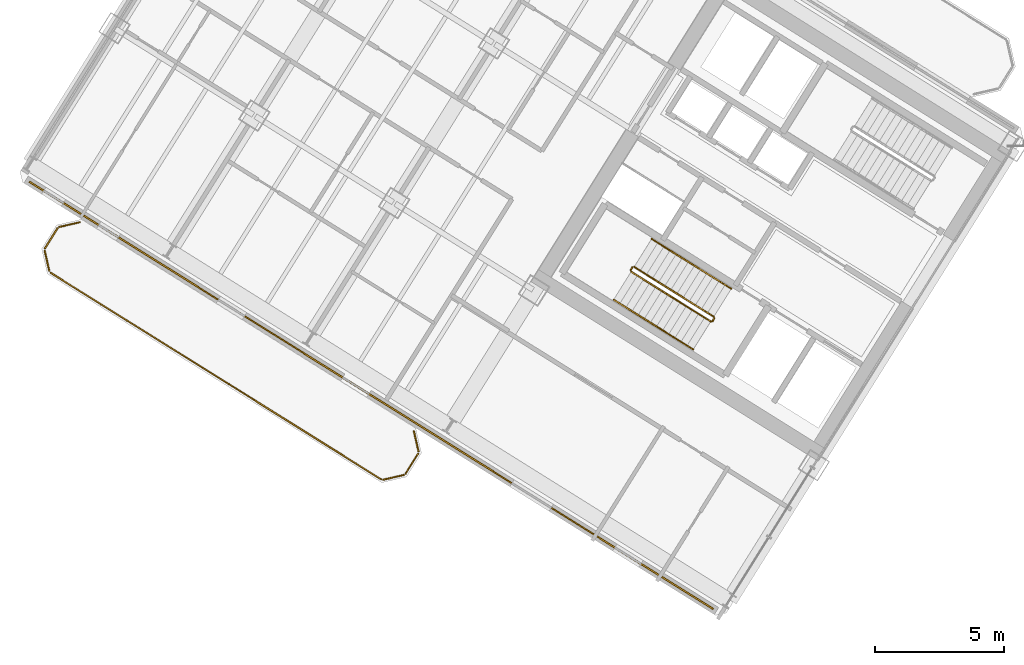
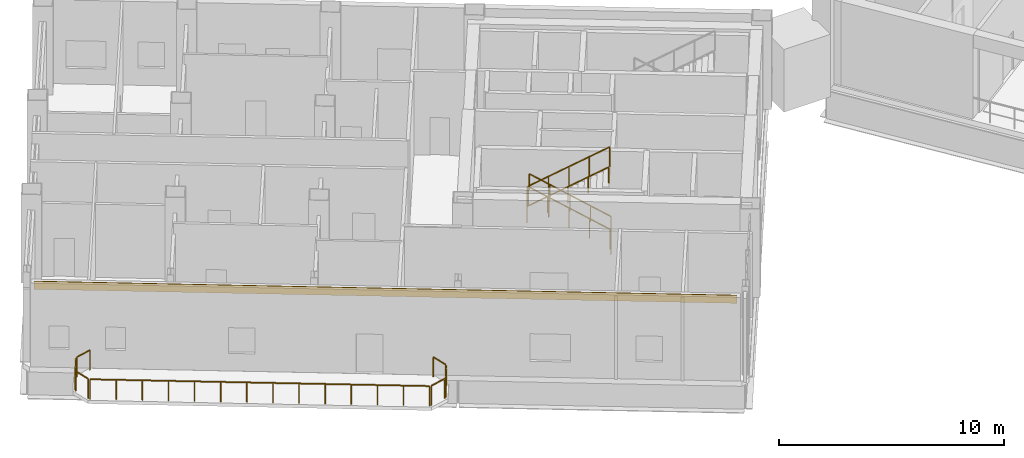
# One storey, part 17 of 22: 15 railings, 1 covering.
"""IFC4 building model written with IfcOpenShell, lengths in metres."""

from ifc_helpers import new_model, si_unit, direction, frame, origin, origin_2d, place, context, subcontext, project, spatial, rectangle, extrude, source, transform, mapped, material, layer, layer_set, type_object, element, save


model = new_model("IFC4")

# Units and contexts
model_context = context("Model", 3, precision=1e-05, world=origin(), true_north=direction((0.0, 1.0)))
body_context = subcontext(model_context, "Body", "Model", "MODEL_VIEW")
ifc_project = project(units=[si_unit("LENGTHUNIT", "METRE"), si_unit("AREAUNIT", "SQUARE_METRE"), si_unit("VOLUMEUNIT", "CUBIC_METRE"), si_unit("PLANEANGLEUNIT", "RADIAN"), si_unit("MASSUNIT", "GRAM", prefix="KILO")], contexts=[model_context])

# Site, building, storey
site_placement = place(None, origin())
site = spatial("IfcSite", under=ifc_project, at=site_placement, CompositionType="ELEMENT")
building_placement = place(site_placement, origin())
building = spatial("IfcBuilding", under=site, at=building_placement, Name="Tlacorven Tower", CompositionType="ELEMENT")
storey_placement = place(building_placement, frame((0.0, 0.0, 127.800048828125)))
storey = spatial("IfcBuildingStorey", under=building, at=storey_placement, Name="L32", CompositionType="ELEMENT", Elevation=127.800048828125)

# Railings
ifc_material_1 = material(Name="Aluminium and painted steel balustrade", Category="steel")
railing_type_1 = type_object("IfcRailingType", Name="RL-BAL-1100", PredefinedType="BALUSTRADE", material=ifc_material_1)
shared_shape_1 = source(origin(), body_context, "Body", "SweptSolid", [
    extrude(rectangle(XDim=0.048095703125, YDim=0.048095703125, at=origin_2d()), frame((0.0, 0.0, 1.076171875), z_axis=(0.225058334816, -0.974345290916, 0.0), x_axis=(0.974345290916, 0.225058334816, 0.0)), (0.0, 0.0, 1.0), 0.80712890625),
    extrude(rectangle(XDim=0.0419921875, YDim=0.0419921875, at=origin_2d()), origin(), (0.0, 0.0, 1.0), 1.052001953125),
    extrude(rectangle(XDim=0.0419921875, YDim=0.0419921875, at=origin_2d()), frame((0.181640625, -0.786376953125, 0.0)), (0.0, 0.0, 1.0), 1.052001953125),
])
railing_1_placement = place(storey_placement, frame((17.5244140625, 13.413330078125, 0.0)))
element("IfcRailing", 1, at=railing_1_placement, inside=storey, type_object=railing_type_1, Name="BAL-L32-W-OUT Guard Railing 1", PredefinedType="BALUSTRADE", context=body_context, shape_type="MappedRepresentation", body=[
    mapped(shared_shape_1, transform((0.0, 0.0, 0.0), scale=1.0)),
])
shared_shape_2 = source(origin(), body_context, "Body", "SweptSolid", [
    extrude(rectangle(XDim=0.048095703125, YDim=0.048095703125, at=origin_2d()), frame((0.0, 0.0, 1.076171875), z_axis=(-0.52987865805, -0.848073468364, 0.0), x_axis=(0.848073468364, -0.52987865805, 0.0)), (0.0, 0.0, 1.0), 0.912353515625),
    extrude(rectangle(XDim=0.0419921875, YDim=0.0419921875, at=origin_2d()), origin(), (0.0, 0.0, 1.0), 1.052001953125),
    extrude(rectangle(XDim=0.0419921875, YDim=0.0419921875, at=origin_2d()), frame((-0.4833984375, -0.773681640625, 0.0)), (0.0, 0.0, 1.0), 1.052001953125),
])
railing_2_placement = place(storey_placement, frame((17.690673828125, 12.535888671875, 0.0)))
element("IfcRailing", 2, at=railing_2_placement, inside=storey, type_object=railing_type_1, Name="BAL-L32-W-OUT Guard Railing 2", PredefinedType="BALUSTRADE", context=body_context, shape_type="MappedRepresentation", body=[
    mapped(shared_shape_2, transform((0.0, 0.0, 0.0), scale=1.0)),
])
shared_shape_3 = source(origin(), body_context, "Body", "SweptSolid", [
    extrude(rectangle(XDim=0.048095703125, YDim=0.048095703125, at=origin_2d()), frame((0.0, 0.0, 1.076171875), z_axis=(-0.974411586182, -0.224771129628, 0.0), x_axis=(0.224771129628, -0.974411586182, 0.0)), (0.0, 0.0, 1.0), 0.80712890625),
    extrude(rectangle(XDim=0.0419921875, YDim=0.0419921875, at=origin_2d()), origin(), (0.0, 0.0, 1.0), 1.052001953125),
    extrude(rectangle(XDim=0.0419921875, YDim=0.0419921875, at=origin_2d()), frame((-0.786376953125, -0.181396484375, 0.0)), (0.0, 0.0, 1.0), 1.052001953125),
])
railing_3_placement = place(storey_placement, frame((17.132080078125, 11.70849609375, 0.0)))
element("IfcRailing", 3, at=railing_3_placement, inside=storey, type_object=railing_type_1, Name="BAL-L32-W-OUT Guard Railing 3", PredefinedType="BALUSTRADE", context=body_context, shape_type="MappedRepresentation", body=[
    mapped(shared_shape_3, transform((0.0, 0.0, 0.0), scale=1.0)),
])
shared_shape_4 = source(origin(), body_context, "Body", "SweptSolid", [
    extrude(rectangle(XDim=0.048095703125, YDim=0.048095703125, at=origin_2d()), frame((0.0, 0.0, 1.076171875), z_axis=(-0.848044572804, 0.529924902733, 0.0), x_axis=(-0.529924902733, -0.848044572804, 0.0)), (0.0, 0.0, 1.0), 15.1171875),
    extrude(rectangle(XDim=0.0419921875, YDim=0.0419921875, at=origin_2d()), origin(), (0.0, 0.0, 1.0), 1.052001953125),
    extrude(rectangle(XDim=0.0419921875, YDim=0.0419921875, at=origin_2d()), frame((-0.986083984375, 0.6162109375, 0.0)), (0.0, 0.0, 1.0), 1.052001953125),
    extrude(rectangle(XDim=0.0419921875, YDim=0.0419921875, at=origin_2d()), frame((-1.972412109375, 1.232421875, 0.0)), (0.0, 0.0, 1.0), 1.052001953125),
    extrude(rectangle(XDim=0.0419921875, YDim=0.0419921875, at=origin_2d()), frame((-2.95849609375, 1.8486328125, 0.0)), (0.0, 0.0, 1.0), 1.052001953125),
    extrude(rectangle(XDim=0.0419921875, YDim=0.0419921875, at=origin_2d()), frame((-3.944580078125, 2.46484375, 0.0)), (0.0, 0.0, 1.0), 1.052001953125),
    extrude(rectangle(XDim=0.0419921875, YDim=0.0419921875, at=origin_2d()), frame((-4.930908203125, 3.0810546875, 0.0)), (0.0, 0.0, 1.0), 1.052001953125),
    extrude(rectangle(XDim=0.0419921875, YDim=0.0419921875, at=origin_2d()), frame((-5.9169921875, 3.697265625, 0.0)), (0.0, 0.0, 1.0), 1.052001953125),
    extrude(rectangle(XDim=0.0419921875, YDim=0.0419921875, at=origin_2d()), frame((-6.903076171875, 4.313720703125, 0.0)), (0.0, 0.0, 1.0), 1.052001953125),
    extrude(rectangle(XDim=0.0419921875, YDim=0.0419921875, at=origin_2d()), frame((-7.88916015625, 4.929931640625, 0.0)), (0.0, 0.0, 1.0), 1.052001953125),
    extrude(rectangle(XDim=0.0419921875, YDim=0.0419921875, at=origin_2d()), frame((-8.87548828125, 5.546142578125, 0.0)), (0.0, 0.0, 1.0), 1.052001953125),
    extrude(rectangle(XDim=0.0419921875, YDim=0.0419921875, at=origin_2d()), frame((-9.861572265625, 6.162353515625, 0.0)), (0.0, 0.0, 1.0), 1.052001953125),
    extrude(rectangle(XDim=0.0419921875, YDim=0.0419921875, at=origin_2d()), frame((-10.84765625, 6.778564453125, 0.0)), (0.0, 0.0, 1.0), 1.052001953125),
    extrude(rectangle(XDim=0.0419921875, YDim=0.0419921875, at=origin_2d()), frame((-11.833984375, 7.394775390625, 0.0)), (0.0, 0.0, 1.0), 1.052001953125),
    extrude(rectangle(XDim=0.0419921875, YDim=0.0419921875, at=origin_2d()), frame((-12.820068359375, 8.010986328125, 0.0)), (0.0, 0.0, 1.0), 1.052001953125),
])
railing_4_placement = place(storey_placement, frame((16.254638671875, 11.542236328125, 0.0)))
element("IfcRailing", 4, at=railing_4_placement, inside=storey, type_object=railing_type_1, Name="BAL-L32-W-OUT Guard Railing 4", PredefinedType="BALUSTRADE", context=body_context, shape_type="MappedRepresentation", body=[
    mapped(shared_shape_4, transform((0.0, 0.0, 0.0), scale=1.0)),
])
shared_shape_5 = source(origin(), body_context, "Body", "SweptSolid", [
    extrude(rectangle(XDim=0.048095703125, YDim=0.048095703125, at=origin_2d()), frame((0.0, 0.0, 1.076171875), z_axis=(-0.225058334816, 0.974345290916, 0.0), x_axis=(-0.974345290916, -0.225058334816, 0.0)), (0.0, 0.0, 1.0), 0.80712890625),
    extrude(rectangle(XDim=0.0419921875, YDim=0.0419921875, at=origin_2d()), origin(), (0.0, 0.0, 1.0), 1.052001953125),
    extrude(rectangle(XDim=0.0419921875, YDim=0.0419921875, at=origin_2d()), frame((-0.181640625, 0.786376953125, 0.0)), (0.0, 0.0, 1.0), 1.052001953125),
])
railing_5_placement = place(storey_placement, frame((3.380859375, 19.62841796875, 0.0)))
element("IfcRailing", 5, at=railing_5_placement, inside=storey, type_object=railing_type_1, Name="BAL-L32-W-OUT Guard Railing 5", PredefinedType="BALUSTRADE", context=body_context, shape_type="MappedRepresentation", body=[
    mapped(shared_shape_5, transform((0.0, 0.0, 0.0), scale=1.0)),
])
shared_shape_6 = source(origin(), body_context, "Body", "SweptSolid", [
    extrude(rectangle(XDim=0.048095703125, YDim=0.048095703125, at=origin_2d()), frame((0.0, 0.0, 1.076171875), z_axis=(0.52987865805, 0.848073468364, 0.0), x_axis=(-0.848073468364, 0.52987865805, 0.0)), (0.0, 0.0, 1.0), 0.912353515625),
    extrude(rectangle(XDim=0.0419921875, YDim=0.0419921875, at=origin_2d()), origin(), (0.0, 0.0, 1.0), 1.052001953125),
    extrude(rectangle(XDim=0.0419921875, YDim=0.0419921875, at=origin_2d()), frame((0.4833984375, 0.773681640625, 0.0)), (0.0, 0.0, 1.0), 1.052001953125),
])
railing_6_placement = place(storey_placement, frame((3.214599609375, 20.505859375, 0.0)))
element("IfcRailing", 6, at=railing_6_placement, inside=storey, type_object=railing_type_1, Name="BAL-L32-W-OUT Guard Railing 6", PredefinedType="BALUSTRADE", context=body_context, shape_type="MappedRepresentation", body=[
    mapped(shared_shape_6, transform((0.0, 0.0, 0.0), scale=1.0)),
])
shared_shape_7 = source(origin(), body_context, "Body", "SweptSolid", [
    extrude(rectangle(XDim=0.048095703125, YDim=0.048095703125, at=origin_2d()), frame((0.0, 0.0, 1.076171875), z_axis=(0.974345290916, 0.225058334816, 0.0), x_axis=(-0.225058334816, 0.974345290916, 0.0)), (0.0, 0.0, 1.0), 0.80712890625),
    extrude(rectangle(XDim=0.0419921875, YDim=0.0419921875, at=origin_2d()), origin(), (0.0, 0.0, 1.0), 1.052001953125),
    extrude(rectangle(XDim=0.0419921875, YDim=0.0419921875, at=origin_2d()), frame((0.786376953125, 0.181640625, 0.0)), (0.0, 0.0, 1.0), 1.052001953125),
])
railing_7_placement = place(storey_placement, frame((3.773193359375, 21.3330078125, 0.0)))
element("IfcRailing", 7, at=railing_7_placement, inside=storey, type_object=railing_type_1, Name="BAL-L32-W-OUT Guard Railing 7", PredefinedType="BALUSTRADE", context=body_context, shape_type="MappedRepresentation", body=[
    mapped(shared_shape_7, transform((0.0, 0.0, 0.0), scale=1.0)),
])

# Covering
ifc_material_2 = material(Name="Precast concrete C45/55", Category="concrete")
ifc_layer = layer(ifc_material_2, 0.06005859375)
ifc_layer_set = layer_set([ifc_layer], Name="Precast concrete C45/55")
covering_type = type_object("IfcCoveringType", Name="CV-CLD-TERC", PredefinedType="CLADDING", material=ifc_layer_set)
shared_shape_8 = source(origin(), body_context, "Body", "SweptSolid", [
    extrude(rectangle(XDim=31.287353515625, YDim=0.06005859375, at=origin_2d()), origin(), (0.0, 0.0, 1.0), 0.419921875),
])
covering_placement = place(storey_placement, frame((15.8740234375, 14.798828125, 4.1298828125), z_axis=(0.0, 0.0, 1.0), x_axis=(-0.84804812172, 0.529919223323, 0.0)))
element("IfcCovering", 8, at=covering_placement, inside=storey, type_object=covering_type, Name="L32 Masonry-Frame Spandrel Cladding 1", PredefinedType="CLADDING", context=body_context, shape_type="MappedRepresentation", body=[
    mapped(shared_shape_8, transform((0.0, 0.0, 0.0), scale=1.0)),
])

# Railings
railing_type_2 = type_object("IfcRailingType", Name="RL-GRD-1100", PredefinedType="GUARDRAIL", material=ifc_material_1)
shared_shape_9 = source(origin(), body_context, "Body", "SweptSolid", [
    extrude(rectangle(XDim=0.048095703125, YDim=0.048095703125, at=origin_2d()), frame((0.0, 0.0, 1.076171875), z_axis=(-0.723262235119, 0.451953093932, 0.522139962209), x_axis=(-0.529926592015, -0.848043517206, 0.0)), (0.0, 0.0, 1.0), 4.26806640625),
    extrude(rectangle(XDim=0.0419921875, YDim=0.0419921875, at=origin_2d()), origin(), (0.0, 0.0, 1.0), 1.052001953125),
    extrude(rectangle(XDim=0.0419921875, YDim=0.0419921875, at=origin_2d()), frame((-0.771728515625, 0.482177734375, 0.55712890625)), (0.0, 0.0, 1.0), 1.052001953125),
    extrude(rectangle(XDim=0.0419921875, YDim=0.0419921875, at=origin_2d()), frame((-1.54345703125, 0.96435546875, 1.1142578125)), (0.0, 0.0, 1.0), 1.052001953125),
    extrude(rectangle(XDim=0.0419921875, YDim=0.0419921875, at=origin_2d()), frame((-2.315185546875, 1.44677734375, 1.67138671875)), (0.0, 0.0, 1.0), 1.052001953125),
    extrude(rectangle(XDim=0.0419921875, YDim=0.0419921875, at=origin_2d()), frame((-3.0869140625, 1.928955078125, 2.228515625)), (0.0, 0.0, 1.0), 1.052001953125),
])
railing_8_placement = place(storey_placement, frame((29.16064453125, 17.851806640625, 0.17138671875)))
element("IfcRailing", 9, at=railing_8_placement, inside=storey, type_object=railing_type_2, Name="L32 ST-W1 stair guard 1", PredefinedType="GUARDRAIL", context=body_context, shape_type="MappedRepresentation", body=[
    mapped(shared_shape_9, transform((0.0, 0.0, 0.0), scale=1.0)),
])
shared_shape_10 = source(origin(), body_context, "Body", "SweptSolid", [
    extrude(rectangle(XDim=0.048095703125, YDim=0.048095703125, at=origin_2d()), frame((0.0, 0.0, 1.076171875), z_axis=(-0.529084052582, -0.848569422795, 0.0), x_axis=(0.848569422795, -0.529084052582, 0.0)), (0.0, 0.0, 1.0), 0.119873046875),
    extrude(rectangle(XDim=0.0419921875, YDim=0.0419921875, at=origin_2d()), origin(), (0.0, 0.0, 1.0), 1.052001953125),
    extrude(rectangle(XDim=0.0419921875, YDim=0.0419921875, at=origin_2d()), frame((-0.0634765625, -0.101806640625, 0.0)), (0.0, 0.0, 1.0), 1.052001953125),
])
for number, where, name in (
    (10, (26.0048828125, 19.764892578125, 2.39990234375), "L32 ST-W1 stair guard 2"),
    (11, (29.176513671875, 17.782958984375, 0.0), "L32 ST-W1 stair guard 4"),
):
    element("IfcRailing", number, at=place(storey_placement, frame(where)), inside=storey, type_object=railing_type_2, Name=name, PredefinedType="GUARDRAIL", context=body_context, shape_type="MappedRepresentation", body=[
        mapped(shared_shape_10, transform((0.0, 0.0, 0.0), scale=1.0)),
    ])
railing_type_3 = type_object("IfcRailingType", Name="RL-HND-0900", PredefinedType="HANDRAIL", material=ifc_material_1)
shared_shape_11 = source(origin(), body_context, "Body", "SweptSolid", [
    extrude(rectangle(XDim=0.048095703125, YDim=0.048095703125, at=origin_2d()), frame((0.0, 0.0, 0.8759765625), z_axis=(-0.723243536433, 0.451998610004, 0.522126463189), x_axis=(-0.529974825293, -0.848013375222, 0.0)), (0.0, 0.0, 1.0), 2.134033203125),
    extrude(rectangle(XDim=0.0419921875, YDim=0.0419921875, at=origin_2d()), origin(), (0.0, 0.0, 1.0), 0.851806640625),
    extrude(rectangle(XDim=0.0419921875, YDim=0.0419921875, at=origin_2d()), frame((-0.771728515625, 0.482421875, 0.55712890625)), (0.0, 0.0, 1.0), 0.851806640625),
    extrude(rectangle(XDim=0.0419921875, YDim=0.0419921875, at=origin_2d()), frame((-1.54345703125, 0.964599609375, 1.1142578125)), (0.0, 0.0, 1.0), 0.851806640625),
])
railing_9_placement = place(storey_placement, frame((29.839111328125, 18.937255859375, 0.17138671875)))
element("IfcRailing", 12, at=railing_9_placement, inside=storey, type_object=railing_type_3, Name="L32 ST-W1 stair handrail 1", PredefinedType="HANDRAIL", context=body_context, shape_type="MappedRepresentation", body=[
    mapped(shared_shape_11, transform((0.0, 0.0, 0.0), scale=1.0)),
])
shared_shape_12 = source(origin(), body_context, "Body", "SweptSolid", [
    extrude(rectangle(XDim=0.048095703125, YDim=0.048095703125, at=origin_2d()), frame((0.0, 0.0, 0.8759765625), z_axis=(-0.723280932889, 0.45190757433, 0.522153460567), x_axis=(-0.529878353595, -0.848073658589, 0.0)), (0.0, 0.0, 1.0), 2.134033203125),
    extrude(rectangle(XDim=0.0419921875, YDim=0.0419921875, at=origin_2d()), origin(), (0.0, 0.0, 1.0), 0.851806640625),
    extrude(rectangle(XDim=0.0419921875, YDim=0.0419921875, at=origin_2d()), frame((-0.771728515625, 0.482177734375, 0.55712890625)), (0.0, 0.0, 1.0), 0.851806640625),
    extrude(rectangle(XDim=0.0419921875, YDim=0.0419921875, at=origin_2d()), frame((-1.54345703125, 0.96435546875, 1.1142578125)), (0.0, 0.0, 1.0), 0.851806640625),
])
railing_10_placement = place(storey_placement, frame((28.295654296875, 19.90185546875, 1.28564453125)))
element("IfcRailing", 13, at=railing_10_placement, inside=storey, type_object=railing_type_3, Name="L32 ST-W1 stair handrail 2", PredefinedType="HANDRAIL", context=body_context, shape_type="MappedRepresentation", body=[
    mapped(shared_shape_12, transform((0.0, 0.0, 0.0), scale=1.0)),
])
shared_shape_13 = source(origin(), body_context, "Body", "SweptSolid", [
    extrude(rectangle(XDim=0.048095703125, YDim=0.048095703125, at=origin_2d()), frame((0.0, 0.0, 0.8759765625), z_axis=(0.723243536433, -0.451998610004, 0.522126463189), x_axis=(0.529974825293, 0.848013375222, 0.0)), (0.0, 0.0, 1.0), 2.134033203125),
    extrude(rectangle(XDim=0.0419921875, YDim=0.0419921875, at=origin_2d()), origin(), (0.0, 0.0, 1.0), 0.851806640625),
    extrude(rectangle(XDim=0.0419921875, YDim=0.0419921875, at=origin_2d()), frame((0.771728515625, -0.482421875, 0.55712890625)), (0.0, 0.0, 1.0), 0.851806640625),
    extrude(rectangle(XDim=0.0419921875, YDim=0.0419921875, at=origin_2d()), frame((1.54345703125, -0.964599609375, 1.1142578125)), (0.0, 0.0, 1.0), 0.851806640625),
])
railing_11_placement = place(storey_placement, frame((25.27880859375, 18.5087890625, 2.5712890625)))
element("IfcRailing", 14, at=railing_11_placement, inside=storey, type_object=railing_type_3, Name="L32 ST-W1 stair handrail 3", PredefinedType="HANDRAIL", context=body_context, shape_type="MappedRepresentation", body=[
    mapped(shared_shape_13, transform((0.0, 0.0, 0.0), scale=1.0)),
])
shared_shape_14 = source(origin(), body_context, "Body", "SweptSolid", [
    extrude(rectangle(XDim=0.048095703125, YDim=0.048095703125, at=origin_2d()), frame((0.0, 0.0, 1.076171875), z_axis=(0.723240632901, -0.451939595108, 0.522181567364), x_axis=(0.529926592015, 0.848043517206, 0.0)), (0.0, 0.0, 1.0), 4.26806640625),
    extrude(rectangle(XDim=0.0419921875, YDim=0.0419921875, at=origin_2d()), origin(), (0.0, 0.0, 1.0), 1.052001953125),
    extrude(rectangle(XDim=0.0419921875, YDim=0.0419921875, at=origin_2d()), frame((0.771728515625, -0.482177734375, 0.55712890625)), (0.0, 0.0, 1.0), 1.052001953125),
    extrude(rectangle(XDim=0.0419921875, YDim=0.0419921875, at=origin_2d()), frame((1.54345703125, -0.96435546875, 1.1142578125)), (0.0, 0.0, 1.0), 1.052001953125),
    extrude(rectangle(XDim=0.0419921875, YDim=0.0419921875, at=origin_2d()), frame((2.315185546875, -1.44677734375, 1.671630859375)), (0.0, 0.0, 1.0), 1.052001953125),
    extrude(rectangle(XDim=0.0419921875, YDim=0.0419921875, at=origin_2d()), frame((3.0869140625, -1.928955078125, 2.228759765625)), (0.0, 0.0, 1.0), 1.052001953125),
])
railing_12_placement = place(storey_placement, frame((25.957275390625, 19.59423828125, 2.5712890625)))
element("IfcRailing", 15, at=railing_12_placement, inside=storey, type_object=railing_type_2, Name="L32 ST-W1 stair guard 3", PredefinedType="GUARDRAIL", context=body_context, shape_type="MappedRepresentation", body=[
    mapped(shared_shape_14, transform((0.0, 0.0, 0.0), scale=1.0)),
])
shared_shape_15 = source(origin(), body_context, "Body", "SweptSolid", [
    extrude(rectangle(XDim=0.048095703125, YDim=0.048095703125, at=origin_2d()), frame((0.0, 0.0, 0.8759765625), z_axis=(0.723237724671, -0.451880577736, 0.522236667688), x_axis=(0.529878353595, 0.848073658589, 0.0)), (0.0, 0.0, 1.0), 2.134033203125),
    extrude(rectangle(XDim=0.0419921875, YDim=0.0419921875, at=origin_2d()), origin(), (0.0, 0.0, 1.0), 0.851806640625),
    extrude(rectangle(XDim=0.0419921875, YDim=0.0419921875, at=origin_2d()), frame((0.771728515625, -0.482177734375, 0.55712890625)), (0.0, 0.0, 1.0), 0.851806640625),
    extrude(rectangle(XDim=0.0419921875, YDim=0.0419921875, at=origin_2d()), frame((1.54345703125, -0.96435546875, 1.114501953125)), (0.0, 0.0, 1.0), 0.851806640625),
])
railing_13_placement = place(storey_placement, frame((26.822265625, 17.544189453125, 3.685546875)))
element("IfcRailing", 16, at=railing_13_placement, inside=storey, type_object=railing_type_3, Name="L32 ST-W1 stair handrail 4", PredefinedType="HANDRAIL", context=body_context, shape_type="MappedRepresentation", body=[
    mapped(shared_shape_15, transform((0.0, 0.0, 0.0), scale=1.0)),
])

save(model, "model.ifc")
